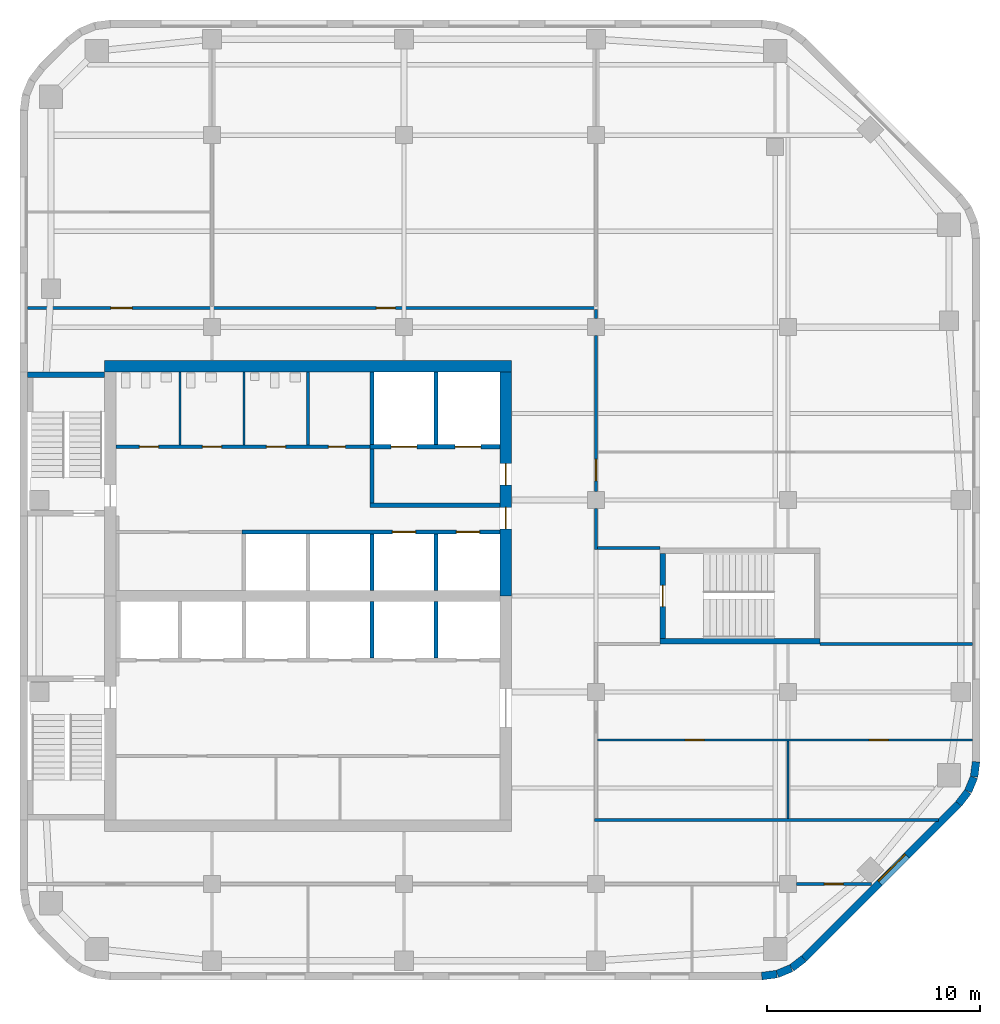
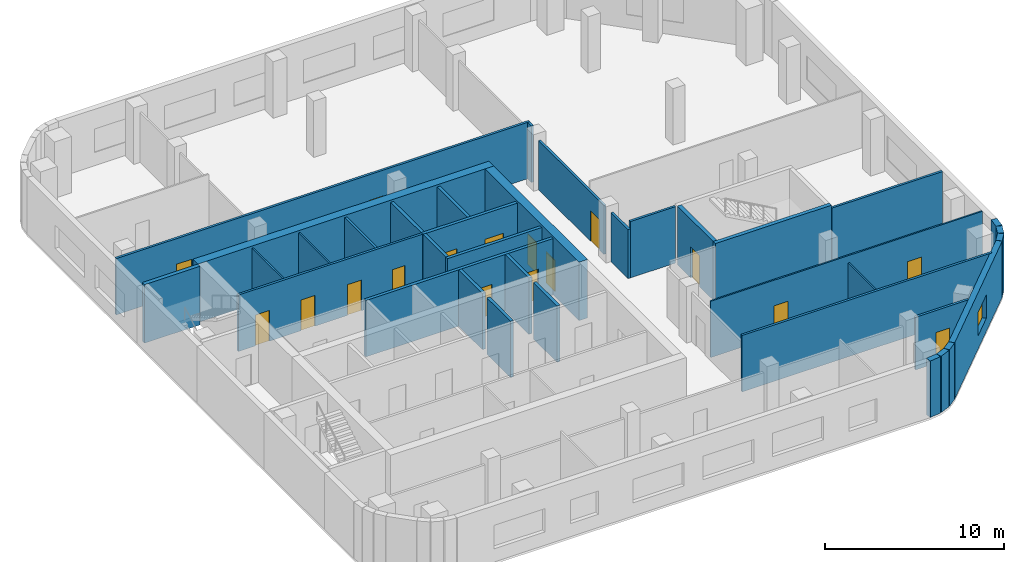
# One storey, part 4 of 7: 36 walls, 17 doors, 1 window, 18 openings.
"""IFC4 building model written with IfcOpenShell, lengths in metres."""

from ifc_helpers import new_model, si_unit, direction, frame, frame_2d, origin, place, context, subcontext, project, spatial, rectangle, extrude, material, layer, layer_set, type_object, element, fill, save


model = new_model("IFC4")

# Units and contexts
model_context = context("Model", 3, precision=1e-05, world=origin(), true_north=direction((0.0, 1.0)))
body_context = subcontext(model_context, "Body", "Model", "MODEL_VIEW")
ifc_project = project(units=[si_unit("LENGTHUNIT", "METRE"), si_unit("AREAUNIT", "SQUARE_METRE"), si_unit("VOLUMEUNIT", "CUBIC_METRE"), si_unit("PLANEANGLEUNIT", "RADIAN"), si_unit("MASSUNIT", "GRAM", prefix="KILO")], contexts=[model_context])

# Site, building, storey
site_placement = place(None, origin())
site = spatial("IfcSite", under=ifc_project, at=site_placement, CompositionType="ELEMENT")
building_placement = place(site_placement, origin())
building = spatial("IfcBuilding", under=site, at=building_placement, Name="Cinnabar Reach Civic Tower", CompositionType="ELEMENT")
storey_placement = place(building_placement, frame((0.0, 0.0, 234.0)))
storey = spatial("IfcBuildingStorey", under=building, at=storey_placement, Name="L56", CompositionType="ELEMENT", Elevation=234.0)

# Walls
ifc_material_1 = material(Name="Facing brick with insulated backing", Category="masonry")
ifc_layer_1 = layer(ifc_material_1, 0.36)
ifc_layer_set_1 = layer_set([ifc_layer_1], Name="Brick corner wall")
wall_type_1 = type_object("IfcWallType", Name="Brick corner wall", PredefinedType="STANDARD", material=ifc_layer_set_1)
for number, where, z_axis, x_axis, name in (
    (1, (34.7686, 13.683, 0.0), (0.0, 0.0, 1.0), (0.99144092581, 0.13055608231, 0.0), "Brick corner wall"),
    (2, (35.4973, 13.7819, 0.0), (0.0, 0.0, 1.0), (0.923871547278, 0.382702709855, 0.0), "Brick corner wall"),
):
    element("IfcWall", number, at=place(storey_placement, frame(where, z_axis=z_axis, x_axis=x_axis)), inside=storey, type_object=wall_type_1, Name=name, PredefinedType="STANDARD", context=body_context, shape_type="SweptSolid", body=[
        extrude(rectangle(XDim=0.7131, YDim=0.36, at=frame_2d((0.3565, 0.0))), origin(), (0.0, 0.0, 1.0), 3.85),
    ])
for number, where, z_axis, x_axis, name in (
    (3, (36.1755, 14.066, 0.0), (0.0, 0.0, 1.0), (0.793321924995, 0.608802368033, 0.0), "Brick corner wall"),
    (4, (43.9998, 21.7587, 0.0), (0.0, 0.0, 1.0), (0.608802368033, 0.793321924995, 0.0), "Brick corner wall"),
):
    element("IfcWall", number, at=place(storey_placement, frame(where, z_axis=z_axis, x_axis=x_axis)), inside=storey, type_object=wall_type_1, Name=name, PredefinedType="STANDARD", context=body_context, shape_type="SweptSolid", body=[
        extrude(rectangle(XDim=0.7132, YDim=0.36, at=frame_2d((0.3566, 0.0))), origin(), (0.0, 0.0, 1.0), 3.85),
    ])
for number, where, z_axis, x_axis, name in (
    (5, (44.4452, 22.3439, 0.0), (0.0, 0.0, 1.0), (0.382702709855, 0.923871547278, 0.0), "Brick corner wall"),
    (6, (44.7239, 23.0244, 0.0), (0.0, 0.0, 1.0), (0.13055608231, 0.99144092581, 0.0), "Brick corner wall"),
):
    element("IfcWall", number, at=place(storey_placement, frame(where, z_axis=z_axis, x_axis=x_axis)), inside=storey, type_object=wall_type_1, Name=name, PredefinedType="STANDARD", context=body_context, shape_type="SweptSolid", body=[
        extrude(rectangle(XDim=0.7131, YDim=0.36, at=frame_2d((0.3565, 0.0))), origin(), (0.0, 0.0, 1.0), 3.85),
    ])

# Wall, opening, window
ifc_layer_2 = layer(ifc_material_1, 0.36)
ifc_layer_set_2 = layer_set([ifc_layer_2], Name="Brick pier and spandrel wall")
wall_type_2 = type_object("IfcWallType", Name="Brick pier and spandrel wall", PredefinedType="STANDARD", material=ifc_layer_set_2)
wall_1_placement = place(storey_placement, frame((36.7514, 14.506, 0.0), z_axis=(0.0, 0.0, 1.0), x_axis=(0.707106781187, 0.707106781187, 0.0)))
wall_1 = element("IfcWall", 7, at=wall_1_placement, inside=storey, type_object=wall_type_2, Name="Brick facade wall", PredefinedType="STANDARD", context=body_context, shape_type="SweptSolid", body=[
    extrude(rectangle(XDim=10.2426, YDim=0.36, at=frame_2d((5.1213, 0.0))), origin(), (0.0, 0.0, 1.0), 3.85),
])
opening_1_placement = place(wall_1_placement, frame((5.0213, 0.0, 0.9)))
opening_1 = element("IfcOpeningElement", 8, at=opening_1_placement, cuts=wall_1, Name="Opening W2146", PredefinedType="OPENING", context=body_context, shape_type="SweptSolid", body=[
    extrude(rectangle(XDim=1.8, YDim=1.6, at=frame_2d((0.9, 0.8))), frame((0.0, 0.19, 0.0), z_axis=(0.0, -1.0, 0.0), x_axis=(1.0, 0.0, 0.0)), (0.0, 0.0, 1.0), 0.38),
])
ifc_material_2 = material(Name="Clear double glazing in aluminium frame", Category="aluminium")
window_type = type_object("IfcWindowType", Name="Deep-set window D", PartitioningType="SINGLE_PANEL", PredefinedType="WINDOW", material=ifc_material_2)
window_placement = place(opening_1_placement, origin())
window = element("IfcWindow", 9, at=window_placement, inside=storey, type_object=window_type, Name="Window southeast face", OverallHeight=1.6, OverallWidth=1.8, PartitioningType="SINGLE_PANEL", PredefinedType="WINDOW", context=body_context, shape_type="SweptSolid", body=[
    extrude(rectangle(XDim=1.8, YDim=1.6, at=frame_2d((0.9, 0.8))), frame((0.0, 0.13, 0.0), z_axis=(0.0, -1.0, 0.0), x_axis=(1.0, 0.0, 0.0)), (0.0, 0.0, 1.0), 0.06),
])
fill(opening_1, window)

# Wall
ifc_material_3 = material(Name="Concrete C60", Category="concrete")
ifc_layer_3 = layer(ifc_material_3, 0.55)
ifc_layer_set_3 = layer_set([ifc_layer_3], Name="Core wall 550 EI 180")
wall_type_3 = type_object("IfcWallType", Name="Core wall 550 EI 180", PredefinedType="SOLIDWALL", material=ifc_layer_set_3)
wall_2_placement = place(storey_placement, frame((23.05, 42.275, 0.0), z_axis=(0.0, 0.0, 1.0), x_axis=(-1.0, 0.0, 0.0)))
element("IfcWall", 10, at=wall_2_placement, inside=storey, type_object=wall_type_3, Name="Core wall T1 L56 N", PredefinedType="SOLIDWALL", context=body_context, shape_type="SweptSolid", body=[
    extrude(rectangle(XDim=19.1, YDim=0.55, at=frame_2d((9.55, 0.0))), origin(), (0.0, 0.0, 1.0), 4.0),
])

# Wall, openings, doors
wall_3_placement = place(storey_placement, frame((22.775, 31.5, 0.0), z_axis=(0.0, 0.0, 1.0), x_axis=(0.0, 1.0, 0.0)))
wall_3 = element("IfcWall", 11, at=wall_3_placement, inside=storey, type_object=wall_type_3, Name="Core wall T1 L56 E2", PredefinedType="SOLIDWALL", context=body_context, shape_type="SweptSolid", body=[
    extrude(rectangle(XDim=10.5, YDim=0.55, at=frame_2d((5.25, 0.0))), origin(), (0.0, 0.0, 1.0), 4.0),
])
opening_2_placement = place(wall_3_placement, frame((3.15, 0.0, 0.0)))
opening_2 = element("IfcOpeningElement", 12, at=opening_2_placement, cuts=wall_3, Name="Opening D5277", PredefinedType="OPENING", context=body_context, shape_type="SweptSolid", body=[
    extrude(rectangle(XDim=1.0, YDim=2.1, at=frame_2d((0.5, 1.05))), frame((0.0, 0.285, 0.0), z_axis=(0.0, -1.0, 0.0), x_axis=(1.0, 0.0, 0.0)), (0.0, 0.0, 1.0), 0.57),
])
opening_3_placement = place(wall_3_placement, frame((5.2, 0.0, 0.0)))
opening_3 = element("IfcOpeningElement", 13, at=opening_3_placement, cuts=wall_3, Name="Opening D5278", PredefinedType="OPENING", context=body_context, shape_type="SweptSolid", body=[
    extrude(rectangle(XDim=1.0, YDim=2.1, at=frame_2d((0.5, 1.05))), frame((0.0, 0.285, 0.0), z_axis=(0.0, -1.0, 0.0), x_axis=(1.0, 0.0, 0.0)), (0.0, 0.0, 1.0), 0.57),
])
ifc_material_4 = material(Name="Timber door leaf in steel frame", Category="steel")
door_type_1 = type_object("IfcDoorType", Name="Firefighting lobby door 1000 x 2100 T1", OperationType="SINGLE_SWING_LEFT", PredefinedType="DOOR", material=ifc_material_4)
door_1_placement = place(opening_3_placement, origin())
door_1 = element("IfcDoor", 14, at=door_1_placement, inside=storey, type_object=door_type_1, Name="Door D5278", OperationType="SINGLE_SWING_LEFT", OverallHeight=2.1, OverallWidth=1.0, PredefinedType="DOOR", context=body_context, shape_type="SweptSolid", body=[
    extrude(rectangle(XDim=1.0, YDim=2.1, at=frame_2d((0.5, 1.05))), frame((0.0, 0.025, 0.0), z_axis=(0.0, -1.0, 0.0), x_axis=(1.0, 0.0, 0.0)), (0.0, 0.0, 1.0), 0.05),
])
fill(opening_3, door_1)
door_type_2 = type_object("IfcDoorType", Name="Single swing door 1000 x 2100 T1", OperationType="SINGLE_SWING_LEFT", PredefinedType="DOOR", material=ifc_material_4)
door_2_placement = place(opening_2_placement, origin())
door_2 = element("IfcDoor", 15, at=door_2_placement, inside=storey, type_object=door_type_2, Name="Door D5277", OperationType="SINGLE_SWING_RIGHT", OverallHeight=2.1, OverallWidth=1.0, PredefinedType="DOOR", context=body_context, shape_type="SweptSolid", body=[
    extrude(rectangle(XDim=1.0, YDim=2.1, at=frame_2d((0.5, 1.05))), frame((0.0, 0.025, 0.0), z_axis=(0.0, -1.0, 0.0), x_axis=(1.0, 0.0, 0.0)), (0.0, 0.0, 1.0), 0.05),
])
fill(opening_2, door_2)

# Wall, opening, door
ifc_material_5 = material(Name="Gypsum board on steel studs, double layer", Category="steel")
ifc_layer_4 = layer(ifc_material_5, 0.15)
ifc_layer_set_4 = layer_set([ifc_layer_4], Name="Corridor wall 150 T1")
wall_type_4 = type_object("IfcWallType", Name="Corridor wall 150 T1", PredefinedType="PARTITIONING", material=ifc_layer_set_4)
wall_4_placement = place(storey_placement, frame((36.4, 18.0, 0.0), z_axis=(0.0, 0.0, 1.0), x_axis=(1.0, 0.0, 0.0)))
wall_4 = element("IfcWall", 16, at=wall_4_placement, inside=storey, type_object=wall_type_4, Name="Corridor wall 18", PredefinedType="PARTITIONING", context=body_context, shape_type="SweptSolid", body=[
    extrude(rectangle(XDim=3.516, YDim=0.15, at=frame_2d((1.758, 0.0))), origin(), (0.0, 0.0, 1.0), 3.602),
])
opening_4_placement = place(wall_4_placement, frame((1.3, 0.0, 0.0)))
opening_4 = element("IfcOpeningElement", 17, at=opening_4_placement, cuts=wall_4, Name="Opening D5295", PredefinedType="OPENING", context=body_context, shape_type="SweptSolid", body=[
    extrude(rectangle(XDim=0.9, YDim=2.1, at=frame_2d((0.45, 1.05))), frame((0.0, 0.085, 0.0), z_axis=(0.0, -1.0, 0.0), x_axis=(1.0, 0.0, 0.0)), (0.0, 0.0, 1.0), 0.17),
])
door_type_3 = type_object("IfcDoorType", Name="Single swing door 900 x 2100 corridor T1", OperationType="SINGLE_SWING_LEFT", PredefinedType="DOOR", material=ifc_material_4)
door_3_placement = place(opening_4_placement, frame((0.9, 0.0, 0.0), z_axis=(0.0, 0.0, 1.0), x_axis=(-1.0, 0.0, 0.0)))
door_3 = element("IfcDoor", 18, at=door_3_placement, inside=storey, type_object=door_type_3, Name="Door D5295", OperationType="SINGLE_SWING_LEFT", OverallHeight=2.1, OverallWidth=0.9, PredefinedType="DOOR", context=body_context, shape_type="SweptSolid", body=[
    extrude(rectangle(XDim=0.9, YDim=2.1, at=frame_2d((0.45, 1.05))), frame((0.0, 0.025, 0.0), z_axis=(0.0, -1.0, 0.0), x_axis=(1.0, 0.0, 0.0)), (0.0, 0.0, 1.0), 0.05),
])
fill(opening_4, door_3)

# Wall, openings, doors
wall_5_placement = place(storey_placement, frame((0.36, 45.0, 0.0), z_axis=(0.0, 0.0, 1.0), x_axis=(1.0, 0.0, 0.0)))
wall_5 = element("IfcWall", 19, at=wall_5_placement, inside=storey, type_object=wall_type_4, Name="Corridor wall 23", PredefinedType="PARTITIONING", context=body_context, shape_type="SweptSolid", body=[
    extrude(rectangle(XDim=26.715, YDim=0.15, at=frame_2d((13.3575, 0.0))), origin(), (0.0, 0.0, 1.0), 3.85),
])
opening_5_placement = place(wall_5_placement, frame((3.9, 0.0, 0.0)))
opening_5 = element("IfcOpeningElement", 20, at=opening_5_placement, cuts=wall_5, Name="Opening D5296", PredefinedType="OPENING", context=body_context, shape_type="SweptSolid", body=[
    extrude(rectangle(XDim=1.0, YDim=2.1, at=frame_2d((0.5, 1.05))), frame((0.0, 0.085, 0.0), z_axis=(0.0, -1.0, 0.0), x_axis=(1.0, 0.0, 0.0)), (0.0, 0.0, 1.0), 0.17),
])
opening_6_placement = place(wall_5_placement, frame((16.34, 0.0, 0.0)))
opening_6 = element("IfcOpeningElement", 21, at=opening_6_placement, cuts=wall_5, Name="Opening D5298", PredefinedType="OPENING", context=body_context, shape_type="SweptSolid", body=[
    extrude(rectangle(XDim=0.9, YDim=2.1, at=frame_2d((0.45, 1.05))), frame((0.0, 0.085, 0.0), z_axis=(0.0, -1.0, 0.0), x_axis=(1.0, 0.0, 0.0)), (0.0, 0.0, 1.0), 0.17),
])
door_4_placement = place(opening_6_placement, origin())
door_4 = element("IfcDoor", 22, at=door_4_placement, inside=storey, type_object=door_type_3, Name="Door D5298", OperationType="SINGLE_SWING_LEFT", OverallHeight=2.1, OverallWidth=0.9, PredefinedType="DOOR", context=body_context, shape_type="SweptSolid", body=[
    extrude(rectangle(XDim=0.9, YDim=2.1, at=frame_2d((0.45, 1.05))), frame((0.0, 0.025, 0.0), z_axis=(0.0, -1.0, 0.0), x_axis=(1.0, 0.0, 0.0)), (0.0, 0.0, 1.0), 0.05),
])
fill(opening_6, door_4)
door_type_4 = type_object("IfcDoorType", Name="Tenancy entrance door 1000 x 2100 T1", OperationType="SINGLE_SWING_LEFT", PredefinedType="DOOR", material=ifc_material_4)
door_5_placement = place(opening_5_placement, origin())
door_5 = element("IfcDoor", 23, at=door_5_placement, inside=storey, type_object=door_type_4, Name="Door D5296", OperationType="SINGLE_SWING_LEFT", OverallHeight=2.1, OverallWidth=1.0, PredefinedType="DOOR", context=body_context, shape_type="SweptSolid", body=[
    extrude(rectangle(XDim=1.0, YDim=2.1, at=frame_2d((0.5, 1.05))), frame((0.0, 0.025, 0.0), z_axis=(0.0, -1.0, 0.0), x_axis=(1.0, 0.0, 0.0)), (0.0, 0.0, 1.0), 0.05),
])
fill(opening_5, door_5)

# Wall
wall_6_placement = place(storey_placement, frame((26.925, 21.0, 0.0), z_axis=(0.0, 0.0, 1.0), x_axis=(1.0, 0.0, 0.0)))
element("IfcWall", 24, at=wall_6_placement, inside=storey, type_object=wall_type_4, Name="Corridor wall 25", PredefinedType="PARTITIONING", context=body_context, shape_type="SweptSolid", body=[
    extrude(rectangle(XDim=16.1409, YDim=0.15, at=frame_2d((8.0704, 0.0))), origin(), (0.0, 0.0, 1.0), 3.85),
])

# Wall, openings, doors
wall_7_placement = place(storey_placement, frame((4.5, 38.5, 0.0), z_axis=(0.0, 0.0, 1.0), x_axis=(1.0, 0.0, 0.0)))
wall_7 = element("IfcWall", 25, at=wall_7_placement, inside=storey, type_object=wall_type_4, Name="Corridor wall 26", PredefinedType="PARTITIONING", context=body_context, shape_type="SweptSolid", body=[
    extrude(rectangle(XDim=11.9, YDim=0.15, at=frame_2d((5.95, 0.0))), origin(), (0.0, 0.0, 1.0), 3.85),
])
opening_7_placement = place(wall_7_placement, frame((1.1, 0.0, 0.0)))
opening_7 = element("IfcOpeningElement", 26, at=opening_7_placement, cuts=wall_7, Name="Opening D5284", PredefinedType="OPENING", context=body_context, shape_type="SweptSolid", body=[
    extrude(rectangle(XDim=0.9, YDim=2.1, at=frame_2d((0.45, 1.05))), frame((0.0, 0.085, 0.0), z_axis=(0.0, -1.0, 0.0), x_axis=(1.0, 0.0, 0.0)), (0.0, 0.0, 1.0), 0.17),
])
opening_8_placement = place(wall_7_placement, frame((4.05, 0.0, 0.0)))
opening_8 = element("IfcOpeningElement", 27, at=opening_8_placement, cuts=wall_7, Name="Opening D5285", PredefinedType="OPENING", context=body_context, shape_type="SweptSolid", body=[
    extrude(rectangle(XDim=0.9, YDim=2.1, at=frame_2d((0.45, 1.05))), frame((0.0, 0.085, 0.0), z_axis=(0.0, -1.0, 0.0), x_axis=(1.0, 0.0, 0.0)), (0.0, 0.0, 1.0), 0.17),
])
opening_9_placement = place(wall_7_placement, frame((7.05, 0.0, 0.0)))
opening_9 = element("IfcOpeningElement", 28, at=opening_9_placement, cuts=wall_7, Name="Opening D5286", PredefinedType="OPENING", context=body_context, shape_type="SweptSolid", body=[
    extrude(rectangle(XDim=0.9, YDim=2.1, at=frame_2d((0.45, 1.05))), frame((0.0, 0.085, 0.0), z_axis=(0.0, -1.0, 0.0), x_axis=(1.0, 0.0, 0.0)), (0.0, 0.0, 1.0), 0.17),
])
opening_10_placement = place(wall_7_placement, frame((9.95, 0.0, 0.0)))
opening_10 = element("IfcOpeningElement", 29, at=opening_10_placement, cuts=wall_7, Name="Opening D5287", PredefinedType="OPENING", context=body_context, shape_type="SweptSolid", body=[
    extrude(rectangle(XDim=0.8, YDim=2.1, at=frame_2d((0.4, 1.05))), frame((0.0, 0.085, 0.0), z_axis=(0.0, -1.0, 0.0), x_axis=(1.0, 0.0, 0.0)), (0.0, 0.0, 1.0), 0.17),
])
door_type_5 = type_object("IfcDoorType", Name="Riser access door 800 x 2100 T1", OperationType="SINGLE_SWING_LEFT", PredefinedType="DOOR", material=ifc_material_4)
door_6_placement = place(opening_10_placement, origin())
door_6 = element("IfcDoor", 30, at=door_6_placement, inside=storey, type_object=door_type_5, Name="Door D5287", OperationType="SINGLE_SWING_RIGHT", OverallHeight=2.1, OverallWidth=0.8, PredefinedType="DOOR", context=body_context, shape_type="SweptSolid", body=[
    extrude(rectangle(XDim=0.8, YDim=2.1, at=frame_2d((0.4, 1.05))), frame((0.0, 0.025, 0.0), z_axis=(0.0, -1.0, 0.0), x_axis=(1.0, 0.0, 0.0)), (0.0, 0.0, 1.0), 0.05),
])
fill(opening_10, door_6)
door_7_placement = place(opening_7_placement, origin())
door_7 = element("IfcDoor", 31, at=door_7_placement, inside=storey, type_object=door_type_3, Name="Door D5284", OperationType="SINGLE_SWING_RIGHT", OverallHeight=2.1, OverallWidth=0.9, PredefinedType="DOOR", context=body_context, shape_type="SweptSolid", body=[
    extrude(rectangle(XDim=0.9, YDim=2.1, at=frame_2d((0.45, 1.05))), frame((0.0, 0.025, 0.0), z_axis=(0.0, -1.0, 0.0), x_axis=(1.0, 0.0, 0.0)), (0.0, 0.0, 1.0), 0.05),
])
fill(opening_7, door_7)
door_8_placement = place(opening_8_placement, origin())
door_8 = element("IfcDoor", 32, at=door_8_placement, inside=storey, type_object=door_type_3, Name="Door D5285", OperationType="SINGLE_SWING_LEFT", OverallHeight=2.1, OverallWidth=0.9, PredefinedType="DOOR", context=body_context, shape_type="SweptSolid", body=[
    extrude(rectangle(XDim=0.9, YDim=2.1, at=frame_2d((0.45, 1.05))), frame((0.0, 0.025, 0.0), z_axis=(0.0, -1.0, 0.0), x_axis=(1.0, 0.0, 0.0)), (0.0, 0.0, 1.0), 0.05),
])
fill(opening_8, door_8)
door_9_placement = place(opening_9_placement, origin())
door_9 = element("IfcDoor", 33, at=door_9_placement, inside=storey, type_object=door_type_3, Name="Door D5286", OperationType="SINGLE_SWING_RIGHT", OverallHeight=2.1, OverallWidth=0.9, PredefinedType="DOOR", context=body_context, shape_type="SweptSolid", body=[
    extrude(rectangle(XDim=0.9, YDim=2.1, at=frame_2d((0.45, 1.05))), frame((0.0, 0.025, 0.0), z_axis=(0.0, -1.0, 0.0), x_axis=(1.0, 0.0, 0.0)), (0.0, 0.0, 1.0), 0.05),
])
fill(opening_9, door_9)

# Wall
wall_8_placement = place(storey_placement, frame((27.0, 33.675, 0.0), z_axis=(0.0, 0.0, 1.0), x_axis=(0.0, 1.0, 0.0)))
element("IfcWall", 34, at=wall_8_placement, inside=storey, type_object=wall_type_4, Name="Corridor wall 27", PredefinedType="PARTITIONING", context=body_context, shape_type="SweptSolid", body=[
    extrude(rectangle(XDim=1.925, YDim=0.15, at=frame_2d((0.9625, 0.0))), origin(), (0.0, 0.0, 1.0), 3.35),
])

# Wall, opening, door
wall_9_placement = place(storey_placement, frame((27.0, 36.4, 0.0), z_axis=(0.0, 0.0, 1.0), x_axis=(0.0, 1.0, 0.0)))
wall_9 = element("IfcWall", 35, at=wall_9_placement, inside=storey, type_object=wall_type_4, Name="Corridor wall 28", PredefinedType="PARTITIONING", context=body_context, shape_type="SweptSolid", body=[
    extrude(rectangle(XDim=7.3, YDim=0.15, at=frame_2d((3.65, 0.0))), origin(), (0.0, 0.0, 1.0), 3.35),
])
opening_11_placement = place(wall_9_placement, frame((0.5, 0.0, 0.0)))
opening_11 = element("IfcOpeningElement", 36, at=opening_11_placement, cuts=wall_9, Name="Opening D5288", PredefinedType="OPENING", context=body_context, shape_type="SweptSolid", body=[
    extrude(rectangle(XDim=1.0, YDim=2.1, at=frame_2d((0.5, 1.05))), frame((0.0, 0.085, 0.0), z_axis=(0.0, -1.0, 0.0), x_axis=(1.0, 0.0, 0.0)), (0.0, 0.0, 1.0), 0.17),
])
door_10_placement = place(opening_11_placement, frame((1.0, 0.0, 0.0), z_axis=(0.0, 0.0, 1.0), x_axis=(-1.0, 0.0, 0.0)))
door_10 = element("IfcDoor", 37, at=door_10_placement, inside=storey, type_object=door_type_4, Name="Door D5288", OperationType="SINGLE_SWING_LEFT", OverallHeight=2.1, OverallWidth=1.0, PredefinedType="DOOR", context=body_context, shape_type="SweptSolid", body=[
    extrude(rectangle(XDim=1.0, YDim=2.1, at=frame_2d((0.5, 1.05))), frame((0.0, 0.025, 0.0), z_axis=(0.0, -1.0, 0.0), x_axis=(1.0, 0.0, 0.0)), (0.0, 0.0, 1.0), 0.05),
])
fill(opening_11, door_10)

# Walls
wall_10_placement = place(storey_placement, frame((27.0, 44.5, 0.0), z_axis=(0.0, 0.0, 1.0), x_axis=(0.0, 1.0, 0.0)))
element("IfcWall", 38, at=wall_10_placement, inside=storey, type_object=wall_type_4, Name="Corridor wall 29", PredefinedType="PARTITIONING", context=body_context, shape_type="SweptSolid", body=[
    extrude(rectangle(XDim=0.425, YDim=0.15, at=frame_2d((0.2125, 0.0))), origin(), (0.0, 0.0, 1.0), 3.85),
])
wall_11_placement = place(storey_placement, frame((27.075, 33.75, 0.0), z_axis=(0.0, 0.0, 1.0), x_axis=(1.0, 0.0, 0.0)))
element("IfcWall", 39, at=wall_11_placement, inside=storey, type_object=wall_type_4, Name="Corridor wall 36", PredefinedType="PARTITIONING", context=body_context, shape_type="SweptSolid", body=[
    extrude(rectangle(XDim=2.925, YDim=0.15, at=frame_2d((1.4625, 0.0))), origin(), (0.0, 0.0, 1.0), 3.85),
])

# Wall, openings, doors
ifc_material_6 = material(Name="Blockwork", Category="masonry")
ifc_layer_5 = layer(ifc_material_6, 0.2)
ifc_layer_set_5 = layer_set([ifc_layer_5], Name="Lift shaft wall 200 T1")
wall_type_5 = type_object("IfcWallType", Name="Lift shaft wall 200 T1", PredefinedType="PARTITIONING", material=ifc_layer_set_5)
wall_12_placement = place(storey_placement, frame((10.4, 34.5, 0.0), z_axis=(0.0, 0.0, 1.0), x_axis=(1.0, 0.0, 0.0)))
wall_12 = element("IfcWall", 40, at=wall_12_placement, inside=storey, type_object=wall_type_5, Name="Lift shaft wall 5", PredefinedType="PARTITIONING", context=body_context, shape_type="SweptSolid", body=[
    extrude(rectangle(XDim=12.1, YDim=0.2, at=frame_2d((6.05, 0.0))), origin(), (0.0, 0.0, 1.0), 3.85),
])
opening_12_placement = place(wall_12_placement, frame((7.05, 0.0, 0.0)))
opening_12 = element("IfcOpeningElement", 41, at=opening_12_placement, cuts=wall_12, Name="Opening D5272", PredefinedType="OPENING", context=body_context, shape_type="SweptSolid", body=[
    extrude(rectangle(XDim=1.1, YDim=2.1, at=frame_2d((0.55, 1.05))), frame((0.0, 0.11, 0.0), z_axis=(0.0, -1.0, 0.0), x_axis=(1.0, 0.0, 0.0)), (0.0, 0.0, 1.0), 0.22),
])
opening_13_placement = place(wall_12_placement, frame((10.05, 0.0, 0.0)))
opening_13 = element("IfcOpeningElement", 42, at=opening_13_placement, cuts=wall_12, Name="Opening D5273", PredefinedType="OPENING", context=body_context, shape_type="SweptSolid", body=[
    extrude(rectangle(XDim=1.1, YDim=2.1, at=frame_2d((0.55, 1.05))), frame((0.0, 0.11, 0.0), z_axis=(0.0, -1.0, 0.0), x_axis=(1.0, 0.0, 0.0)), (0.0, 0.0, 1.0), 0.22),
])
ifc_material_7 = material(Name="Stainless steel sliding door", Category="steel")
door_type_6 = type_object("IfcDoorType", Name="Lift landing door 1100 x 2100 T1", OperationType="SLIDING_TO_LEFT", PredefinedType="DOOR", material=ifc_material_7)
door_11_placement = place(opening_12_placement, origin())
door_11 = element("IfcDoor", 43, at=door_11_placement, inside=storey, type_object=door_type_6, Name="Lift landing door SV1 L56", OperationType="SLIDING_TO_LEFT", OverallHeight=2.1, OverallWidth=1.1, PredefinedType="DOOR", context=body_context, shape_type="SweptSolid", body=[
    extrude(rectangle(XDim=1.1, YDim=2.1, at=frame_2d((0.55, 1.05))), frame((0.0, 0.025, 0.0), z_axis=(0.0, -1.0, 0.0), x_axis=(1.0, 0.0, 0.0)), (0.0, 0.0, 1.0), 0.05),
])
fill(opening_12, door_11)
door_12_placement = place(opening_13_placement, origin())
door_12 = element("IfcDoor", 44, at=door_12_placement, inside=storey, type_object=door_type_6, Name="Lift landing door SV2 L56", OperationType="SLIDING_TO_LEFT", OverallHeight=2.1, OverallWidth=1.1, PredefinedType="DOOR", context=body_context, shape_type="SweptSolid", body=[
    extrude(rectangle(XDim=1.1, YDim=2.1, at=frame_2d((0.55, 1.05))), frame((0.0, 0.025, 0.0), z_axis=(0.0, -1.0, 0.0), x_axis=(1.0, 0.0, 0.0)), (0.0, 0.0, 1.0), 0.05),
])
fill(opening_13, door_12)

# Walls
for number, where, z_axis, x_axis, name in (
    (45, (16.5, 28.6, 0.0), (0.0, 0.0, 1.0), (0.0, 1.0, 0.0), "Lift shaft wall 10"),
    (46, (16.5, 31.75, 0.0), (0.0, 0.0, 1.0), (0.0, 1.0, 0.0), "Lift shaft wall 11"),
    (47, (19.5, 28.6, 0.0), (0.0, 0.0, 1.0), (0.0, 1.0, 0.0), "Lift shaft wall 12"),
    (48, (19.5, 31.75, 0.0), (0.0, 0.0, 1.0), (0.0, 1.0, 0.0), "Lift shaft wall 13"),
):
    element("IfcWall", number, at=place(storey_placement, frame(where, z_axis=z_axis, x_axis=x_axis)), inside=storey, type_object=wall_type_5, Name=name, PredefinedType="PARTITIONING", context=body_context, shape_type="SweptSolid", body=[
        extrude(rectangle(XDim=2.65, YDim=0.2, at=frame_2d((1.325, 0.0))), origin(), (0.0, 0.0, 1.0), 3.85),
    ])
for number, where, z_axis, x_axis, name in (
    (49, (16.5, 38.6, 0.0), (0.0, 0.0, 1.0), (0.0, 1.0, 0.0), "Lift shaft wall 14"),
    (50, (19.5, 38.6, 0.0), (0.0, 0.0, 1.0), (0.0, 1.0, 0.0), "Lift shaft wall 15"),
):
    element("IfcWall", number, at=place(storey_placement, frame(where, z_axis=z_axis, x_axis=x_axis)), inside=storey, type_object=wall_type_5, Name=name, PredefinedType="PARTITIONING", context=body_context, shape_type="SweptSolid", body=[
        extrude(rectangle(XDim=3.4, YDim=0.2, at=frame_2d((1.7, 0.0))), origin(), (0.0, 0.0, 1.0), 3.85),
    ])

# Wall, openings, doors
ifc_material_8 = material(Name="Gypsum board on steel studs", Category="steel")
ifc_layer_6 = layer(ifc_material_8, 0.1)
ifc_layer_set_6 = layer_set([ifc_layer_6], Name="Partition wall 100 T1")
wall_type_6 = type_object("IfcWallType", Name="Partition wall 100 T1", PredefinedType="PARTITIONING", material=ifc_layer_set_6)
wall_13_placement = place(storey_placement, frame((27.075, 24.75, 0.0), z_axis=(0.0, 0.0, 1.0), x_axis=(1.0, 0.0, 0.0)))
wall_13 = element("IfcWall", 51, at=wall_13_placement, inside=storey, type_object=wall_type_6, Name="Partition wall 40", PredefinedType="PARTITIONING", context=body_context, shape_type="SweptSolid", body=[
    extrude(rectangle(XDim=17.565, YDim=0.1, at=frame_2d((8.7825, 0.0))), origin(), (0.0, 0.0, 1.0), 3.85),
])
opening_14_placement = place(wall_13_placement, frame((4.1, 0.0, 0.0)))
opening_14 = element("IfcOpeningElement", 52, at=opening_14_placement, cuts=wall_13, Name="Opening D5291", PredefinedType="OPENING", context=body_context, shape_type="SweptSolid", body=[
    extrude(rectangle(XDim=0.9, YDim=2.1, at=frame_2d((0.45, 1.05))), frame((0.0, 0.06, 0.0), z_axis=(0.0, -1.0, 0.0), x_axis=(1.0, 0.0, 0.0)), (0.0, 0.0, 1.0), 0.12),
])
opening_15_placement = place(wall_13_placement, frame((12.725, 0.0, 0.0)))
opening_15 = element("IfcOpeningElement", 53, at=opening_15_placement, cuts=wall_13, Name="Opening D5292", PredefinedType="OPENING", context=body_context, shape_type="SweptSolid", body=[
    extrude(rectangle(XDim=0.9, YDim=2.1, at=frame_2d((0.45, 1.05))), frame((0.0, 0.06, 0.0), z_axis=(0.0, -1.0, 0.0), x_axis=(1.0, 0.0, 0.0)), (0.0, 0.0, 1.0), 0.12),
])
door_type_7 = type_object("IfcDoorType", Name="Single swing door 900 x 2100 T1", OperationType="SINGLE_SWING_LEFT", PredefinedType="DOOR", material=ifc_material_4)
door_13_placement = place(opening_14_placement, frame((0.9, 0.0, 0.0), z_axis=(0.0, 0.0, 1.0), x_axis=(-1.0, 0.0, 0.0)))
door_13 = element("IfcDoor", 54, at=door_13_placement, inside=storey, type_object=door_type_7, Name="Door D5291", OperationType="SINGLE_SWING_RIGHT", OverallHeight=2.1, OverallWidth=0.9, PredefinedType="DOOR", context=body_context, shape_type="SweptSolid", body=[
    extrude(rectangle(XDim=0.9, YDim=2.1, at=frame_2d((0.45, 1.05))), frame((0.0, 0.025, 0.0), z_axis=(0.0, -1.0, 0.0), x_axis=(1.0, 0.0, 0.0)), (0.0, 0.0, 1.0), 0.05),
])
fill(opening_14, door_13)
door_14_placement = place(opening_15_placement, frame((0.9, 0.0, 0.0), z_axis=(0.0, 0.0, 1.0), x_axis=(-1.0, 0.0, 0.0)))
door_14 = element("IfcDoor", 55, at=door_14_placement, inside=storey, type_object=door_type_7, Name="Door D5292", OperationType="SINGLE_SWING_LEFT", OverallHeight=2.1, OverallWidth=0.9, PredefinedType="DOOR", context=body_context, shape_type="SweptSolid", body=[
    extrude(rectangle(XDim=0.9, YDim=2.1, at=frame_2d((0.45, 1.05))), frame((0.0, 0.025, 0.0), z_axis=(0.0, -1.0, 0.0), x_axis=(1.0, 0.0, 0.0)), (0.0, 0.0, 1.0), 0.05),
])
fill(opening_15, door_14)

# Walls
wall_14_placement = place(storey_placement, frame((36.0, 21.075, 0.0), z_axis=(0.0, 0.0, 1.0), x_axis=(0.0, 1.0, 0.0)))
element("IfcWall", 56, at=wall_14_placement, inside=storey, type_object=wall_type_6, Name="Partition wall 49", PredefinedType="PARTITIONING", context=body_context, shape_type="SweptSolid", body=[
    extrude(rectangle(XDim=3.625, YDim=0.1, at=frame_2d((1.8125, 0.0))), origin(), (0.0, 0.0, 1.0), 3.35),
])
for number, where, z_axis, x_axis, name in (
    (57, (7.5, 38.575, 0.0), (0.0, 0.0, 1.0), (0.0, 1.0, 0.0), "Partition wall 50"),
    (58, (10.5, 38.575, 0.0), (0.0, 0.0, 1.0), (0.0, 1.0, 0.0), "Partition wall 51"),
):
    element("IfcWall", number, at=place(storey_placement, frame(where, z_axis=z_axis, x_axis=x_axis)), inside=storey, type_object=wall_type_6, Name=name, PredefinedType="PARTITIONING", context=body_context, shape_type="SweptSolid", body=[
        extrude(rectangle(XDim=3.425, YDim=0.1, at=frame_2d((1.7125, 0.0))), origin(), (0.0, 0.0, 1.0), 3.85),
    ])
ifc_material_9 = material(Name="Concrete C40", Category="concrete")
ifc_layer_7 = layer(ifc_material_9, 0.2)
ifc_layer_set_7 = layer_set([ifc_layer_7], Name="Refuge compartment wall 200 T1")
wall_type_7 = type_object("IfcWallType", Name="Refuge compartment wall 200 T1", PredefinedType="PARTITIONING", material=ifc_layer_set_7)
wall_15_placement = place(storey_placement, frame((16.4, 35.75, 0.0), z_axis=(0.0, 0.0, 1.0), x_axis=(1.0, 0.0, 0.0)))
element("IfcWall", 59, at=wall_15_placement, inside=storey, type_object=wall_type_7, Name="Refuge compartment wall 1", PredefinedType="PARTITIONING", context=body_context, shape_type="SweptSolid", body=[
    extrude(rectangle(XDim=6.1, YDim=0.2, at=frame_2d((3.05, 0.0))), origin(), (0.0, 0.0, 1.0), 3.85),
])

# Wall, openings, doors
wall_16_placement = place(storey_placement, frame((16.4, 38.5, 0.0), z_axis=(0.0, 0.0, 1.0), x_axis=(1.0, 0.0, 0.0)))
wall_16 = element("IfcWall", 60, at=wall_16_placement, inside=storey, type_object=wall_type_7, Name="Refuge compartment wall 2", PredefinedType="PARTITIONING", context=body_context, shape_type="SweptSolid", body=[
    extrude(rectangle(XDim=6.1, YDim=0.2, at=frame_2d((3.05, 0.0))), origin(), (0.0, 0.0, 1.0), 3.85),
])
opening_16_placement = place(wall_16_placement, frame((1.0, 0.0, 0.0)))
opening_16 = element("IfcOpeningElement", 61, at=opening_16_placement, cuts=wall_16, Name="Opening D5274", PredefinedType="OPENING", context=body_context, shape_type="SweptSolid", body=[
    extrude(rectangle(XDim=1.2, YDim=2.1, at=frame_2d((0.6, 1.05))), frame((0.0, 0.11, 0.0), z_axis=(0.0, -1.0, 0.0), x_axis=(1.0, 0.0, 0.0)), (0.0, 0.0, 1.0), 0.22),
])
opening_17_placement = place(wall_16_placement, frame((4.0, 0.0, 0.0)))
opening_17 = element("IfcOpeningElement", 62, at=opening_17_placement, cuts=wall_16, Name="Opening D5275", PredefinedType="OPENING", context=body_context, shape_type="SweptSolid", body=[
    extrude(rectangle(XDim=1.2, YDim=2.1, at=frame_2d((0.6, 1.05))), frame((0.0, 0.11, 0.0), z_axis=(0.0, -1.0, 0.0), x_axis=(1.0, 0.0, 0.0)), (0.0, 0.0, 1.0), 0.22),
])
door_type_8 = type_object("IfcDoorType", Name="Firefighting lift landing door 1200 x 2100 T1", OperationType="SLIDING_TO_LEFT", PredefinedType="DOOR", material=ifc_material_7)
door_15_placement = place(opening_16_placement, origin())
door_15 = element("IfcDoor", 63, at=door_15_placement, inside=storey, type_object=door_type_8, Name="Lift landing door FF1 L56", OperationType="SLIDING_TO_LEFT", OverallHeight=2.1, OverallWidth=1.2, PredefinedType="DOOR", context=body_context, shape_type="SweptSolid", body=[
    extrude(rectangle(XDim=1.2, YDim=2.1, at=frame_2d((0.6, 1.05))), frame((0.0, 0.025, 0.0), z_axis=(0.0, -1.0, 0.0), x_axis=(1.0, 0.0, 0.0)), (0.0, 0.0, 1.0), 0.05),
])
fill(opening_16, door_15)
door_16_placement = place(opening_17_placement, origin())
door_16 = element("IfcDoor", 64, at=door_16_placement, inside=storey, type_object=door_type_8, Name="Lift landing door FF2 L56", OperationType="SLIDING_TO_LEFT", OverallHeight=2.1, OverallWidth=1.2, PredefinedType="DOOR", context=body_context, shape_type="SweptSolid", body=[
    extrude(rectangle(XDim=1.2, YDim=2.1, at=frame_2d((0.6, 1.05))), frame((0.0, 0.025, 0.0), z_axis=(0.0, -1.0, 0.0), x_axis=(1.0, 0.0, 0.0)), (0.0, 0.0, 1.0), 0.05),
])
fill(opening_17, door_16)

# Walls
wall_17_placement = place(storey_placement, frame((16.5, 35.85, 0.0), z_axis=(0.0, 0.0, 1.0), x_axis=(0.0, 1.0, 0.0)))
element("IfcWall", 65, at=wall_17_placement, inside=storey, type_object=wall_type_7, Name="Refuge compartment wall 3", PredefinedType="PARTITIONING", context=body_context, shape_type="SweptSolid", body=[
    extrude(rectangle(XDim=2.55, YDim=0.2, at=frame_2d((1.275, 0.0))), origin(), (0.0, 0.0, 1.0), 3.85),
])
ifc_layer_8 = layer(ifc_material_6, 0.15)
ifc_layer_set_8 = layer_set([ifc_layer_8], Name="Riser wall 150 T1")
wall_type_8 = type_object("IfcWallType", Name="Riser wall 150 T1", PredefinedType="PARTITIONING", material=ifc_layer_set_8)
wall_18_placement = place(storey_placement, frame((13.5, 38.575, 0.0), z_axis=(0.0, 0.0, 1.0), x_axis=(0.0, 1.0, 0.0)))
element("IfcWall", 66, at=wall_18_placement, inside=storey, type_object=wall_type_8, Name="Riser wall 38", PredefinedType="PARTITIONING", context=body_context, shape_type="SweptSolid", body=[
    extrude(rectangle(XDim=3.425, YDim=0.15, at=frame_2d((1.7125, 0.0))), origin(), (0.0, 0.0, 1.0), 3.85),
])
ifc_layer_9 = layer(ifc_material_3, 0.25)
ifc_layer_set_9 = layer_set([ifc_layer_9], Name="Stair shaft wall 250 EI 120")
wall_type_9 = type_object("IfcWallType", Name="Stair shaft wall 250 EI 120", PredefinedType="SOLIDWALL", material=ifc_layer_set_9)
wall_19_placement = place(storey_placement, frame((3.95, 41.875, 0.0), z_axis=(0.0, 0.0, 1.0), x_axis=(-1.0, 0.0, 0.0)))
element("IfcWall", 67, at=wall_19_placement, inside=storey, type_object=wall_type_9, Name="Stair shaft wall T1-S2 L56", PredefinedType="SOLIDWALL", context=body_context, shape_type="SweptSolid", body=[
    extrude(rectangle(XDim=3.59, YDim=0.25, at=frame_2d((1.795, 0.0))), origin(), (0.0, 0.0, 1.0), 4.0),
])
wall_20_placement = place(storey_placement, frame((30.0, 29.375, 0.0), z_axis=(0.0, 0.0, 1.0), x_axis=(1.0, 0.0, 0.0)))
element("IfcWall", 68, at=wall_20_placement, inside=storey, type_object=wall_type_9, Name="Stair shaft wall T1-S3 L56", PredefinedType="SOLIDWALL", context=body_context, shape_type="SweptSolid", body=[
    extrude(rectangle(XDim=7.5, YDim=0.25, at=frame_2d((3.75, 0.0))), origin(), (0.0, 0.0, 1.0), 4.0),
])

# Wall, opening, door
wall_21_placement = place(storey_placement, frame((30.125, 33.5, 0.0), z_axis=(0.0, 0.0, 1.0), x_axis=(0.0, -1.0, 0.0)))
wall_21 = element("IfcWall", 69, at=wall_21_placement, inside=storey, type_object=wall_type_9, Name="Stair shaft wall T1-S3 L56", PredefinedType="SOLIDWALL", context=body_context, shape_type="SweptSolid", body=[
    extrude(rectangle(XDim=4.0, YDim=0.25, at=frame_2d((2.0, 0.0))), origin(), (0.0, 0.0, 1.0), 4.0),
])
opening_18_placement = place(wall_21_placement, frame((1.5, 0.0, 0.0)))
opening_18 = element("IfcOpeningElement", 70, at=opening_18_placement, cuts=wall_21, Name="Opening D5279", PredefinedType="OPENING", context=body_context, shape_type="SweptSolid", body=[
    extrude(rectangle(XDim=1.0, YDim=2.1, at=frame_2d((0.5, 1.05))), frame((0.0, 0.135, 0.0), z_axis=(0.0, -1.0, 0.0), x_axis=(1.0, 0.0, 0.0)), (0.0, 0.0, 1.0), 0.27),
])
door_type_9 = type_object("IfcDoorType", Name="Stair door 1000 x 2100 T1", OperationType="SINGLE_SWING_LEFT", PredefinedType="DOOR", material=ifc_material_4)
door_17_placement = place(opening_18_placement, origin())
door_17 = element("IfcDoor", 71, at=door_17_placement, inside=storey, type_object=door_type_9, Name="Door D5279", OperationType="SINGLE_SWING_RIGHT", OverallHeight=2.1, OverallWidth=1.0, PredefinedType="DOOR", context=body_context, shape_type="SweptSolid", body=[
    extrude(rectangle(XDim=1.0, YDim=2.1, at=frame_2d((0.5, 1.05))), frame((0.0, 0.025, 0.0), z_axis=(0.0, -1.0, 0.0), x_axis=(1.0, 0.0, 0.0)), (0.0, 0.0, 1.0), 0.05),
])
fill(opening_18, door_17)

# Wall
ifc_layer_10 = layer(ifc_material_5, 0.15)
ifc_layer_set_10 = layer_set([ifc_layer_10], Name="Tenancy separating wall 150 T1")
wall_type_10 = type_object("IfcWallType", Name="Tenancy separating wall 150 T1", PredefinedType="PARTITIONING", material=ifc_layer_set_10)
wall_22_placement = place(storey_placement, frame((37.5, 29.25, 0.0), z_axis=(0.0, 0.0, 1.0), x_axis=(1.0, 0.0, 0.0)))
element("IfcWall", 72, at=wall_22_placement, inside=storey, type_object=wall_type_10, Name="Tenancy separating wall 39", PredefinedType="PARTITIONING", context=body_context, shape_type="SweptSolid", body=[
    extrude(rectangle(XDim=7.14, YDim=0.15, at=frame_2d((3.57, 0.0))), origin(), (0.0, 0.0, 1.0), 3.85),
])

save(model, "model.ifc")
